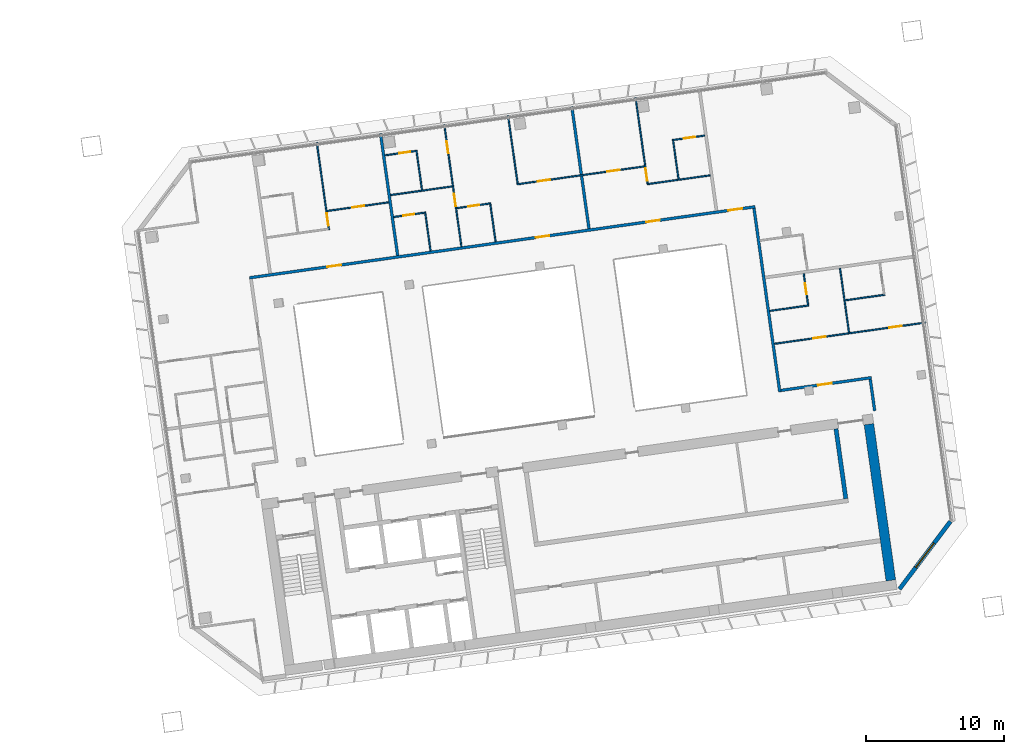
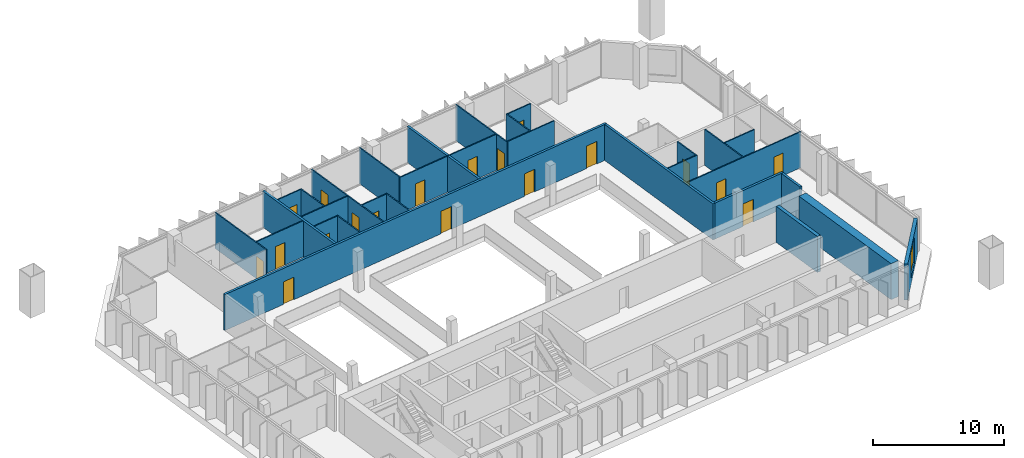
# One storey, part 19 of 23: 30 walls, 19 doors, 1 window, 20 openings.
"""IFC4 building model written with IfcOpenShell, lengths in metres."""

from ifc_helpers import new_model, si_unit, direction, frame, frame_2d, origin, place, context, subcontext, project, spatial, rectangle, extrude, material, layer, layer_set, type_object, element, fill, save


model = new_model("IFC4")

# Units and contexts
model_context = context("Model", 3, precision=1e-05, world=origin(), true_north=direction((0.0, 1.0)))
body_context = subcontext(model_context, "Body", "Model", "MODEL_VIEW")
ifc_project = project(units=[si_unit("LENGTHUNIT", "METRE"), si_unit("AREAUNIT", "SQUARE_METRE"), si_unit("VOLUMEUNIT", "CUBIC_METRE"), si_unit("PLANEANGLEUNIT", "RADIAN"), si_unit("MASSUNIT", "GRAM", prefix="KILO")], contexts=[model_context])

# Site, building, storey
site_placement = place(None, origin())
site = spatial("IfcSite", under=ifc_project, at=site_placement, CompositionType="ELEMENT")
building_placement = place(site_placement, origin())
building = spatial("IfcBuilding", under=site, at=building_placement, Name="Mirante Cascada Hotel Towers", CompositionType="ELEMENT")
storey_placement = place(building_placement, frame((0.0, 0.0, 187.8)))
storey = spatial("IfcBuildingStorey", under=building, at=storey_placement, Name="L44", CompositionType="ELEMENT", Elevation=187.8)

# Wall, opening, door
ifc_material_1 = material(Name="Fire-rated plasterboard on metal studs")
ifc_layer_1 = layer(ifc_material_1, 0.2)
ifc_layer_set_1 = layer_set([ifc_layer_1], Name="Compartment wall 200 EI 120")
wall_type_1 = type_object("IfcWallType", Name="Compartment wall 200 EI 120", PredefinedType="PARTITIONING", material=ifc_layer_set_1)
wall_1_placement = place(storey_placement, frame((79.5905, 1.5361, 0.0), z_axis=(0.0, 0.0, 1.0), x_axis=(-0.990267, -0.139181, 0.0)))
wall_1 = element("IfcWall", 1, at=wall_1_placement, inside=storey, type_object=wall_type_1, Name="Wall 2-L44-04", PredefinedType="PARTITIONING", context=body_context, shape_type="SweptSolid", body=[
    extrude(rectangle(XDim=6.6, YDim=0.2, at=frame_2d((3.3, 0.0))), origin(), (0.0, 0.0, 1.0), 3.35),
])
opening_1_placement = place(wall_1_placement, frame((2.9, 0.0, 0.0)))
opening_1 = element("IfcOpeningElement", 2, at=opening_1_placement, cuts=wall_1, Name="Opening D2-L44-03", PredefinedType="OPENING", context=body_context, shape_type="SweptSolid", body=[
    extrude(rectangle(XDim=1.0, YDim=2.1, at=frame_2d((0.5, 1.05))), frame((0.0, 0.1, 0.0), z_axis=(0.0, -1.0, 0.0), x_axis=(1.0, 0.0, 0.0)), (0.0, 0.0, 1.0), 0.2),
])
ifc_material_2 = material(Name="Fire-rated timber door leaf", Category="wood")
door_type_1 = type_object("IfcDoorType", Name="Entrance door DG1 1000x2100 EI 60", OperationType="SINGLE_SWING_LEFT", PredefinedType="DOOR", material=ifc_material_2)
door_1_placement = place(opening_1_placement, origin())
door_1 = element("IfcDoor", 3, at=door_1_placement, inside=storey, type_object=door_type_1, Name="Door D2-L44-03", OperationType="SINGLE_SWING_LEFT", OverallHeight=2.1, OverallWidth=1.0, PredefinedType="DOOR", context=body_context, shape_type="SweptSolid", body=[
    extrude(rectangle(XDim=1.0, YDim=2.1, at=frame_2d((0.5, 1.05))), frame((0.0, 0.025, 0.0), z_axis=(0.0, -1.0, 0.0), x_axis=(1.0, 0.0, 0.0)), (0.0, 0.0, 1.0), 0.05),
])
fill(opening_1, door_1)

# Wall, openings, doors
wall_2_placement = place(storey_placement, frame((71.1898, 13.8871, 0.0), z_axis=(0.0, 0.0, 1.0), x_axis=(-0.990268, -0.1391734, 0.0)))
wall_2 = element("IfcWall", 4, at=wall_2_placement, inside=storey, type_object=wall_type_1, Name="Wall 2-L44-16", PredefinedType="PARTITIONING", context=body_context, shape_type="SweptSolid", body=[
    extrude(rectangle(XDim=36.9, YDim=0.2, at=frame_2d((18.45, 0.0))), origin(), (0.0, 0.0, 1.0), 3.35),
])
opening_2_placement = place(wall_2_placement, frame((30.2218, 0.0, 0.0)))
opening_2 = element("IfcOpeningElement", 5, at=opening_2_placement, cuts=wall_2, Name="Opening D2-L44-08", PredefinedType="OPENING", context=body_context, shape_type="SweptSolid", body=[
    extrude(rectangle(XDim=1.0, YDim=2.1, at=frame_2d((0.5, 1.05))), frame((0.0, 0.1, 0.0), z_axis=(0.0, -1.0, 0.0), x_axis=(1.0, 0.0, 0.0)), (0.0, 0.0, 1.0), 0.2),
])
opening_3_placement = place(wall_2_placement, frame((15.0172, 0.0, 0.0)))
opening_3 = element("IfcOpeningElement", 6, at=opening_3_placement, cuts=wall_2, Name="Opening D2-L44-09", PredefinedType="OPENING", context=body_context, shape_type="SweptSolid", body=[
    extrude(rectangle(XDim=1.0, YDim=2.1, at=frame_2d((0.5, 1.05))), frame((0.0, 0.1, 0.0), z_axis=(0.0, -1.0, 0.0), x_axis=(1.0, 0.0, 0.0)), (0.0, 0.0, 1.0), 0.2),
])
opening_4_placement = place(wall_2_placement, frame((6.9582, 0.0, 0.0)))
opening_4 = element("IfcOpeningElement", 7, at=opening_4_placement, cuts=wall_2, Name="Opening D2-L44-10", PredefinedType="OPENING", context=body_context, shape_type="SweptSolid", body=[
    extrude(rectangle(XDim=1.0, YDim=2.1, at=frame_2d((0.5, 1.05))), frame((0.0, 0.1, 0.0), z_axis=(0.0, -1.0, 0.0), x_axis=(1.0, 0.0, 0.0)), (0.0, 0.0, 1.0), 0.2),
])
opening_5_placement = place(wall_2_placement, frame((0.9528, 0.0, 0.0)))
opening_5 = element("IfcOpeningElement", 8, at=opening_5_placement, cuts=wall_2, Name="Opening D2-L44-11", PredefinedType="OPENING", context=body_context, shape_type="SweptSolid", body=[
    extrude(rectangle(XDim=1.0, YDim=2.1, at=frame_2d((0.5, 1.05))), frame((0.0, 0.1, 0.0), z_axis=(0.0, -1.0, 0.0), x_axis=(1.0, 0.0, 0.0)), (0.0, 0.0, 1.0), 0.2),
])
door_2_placement = place(opening_2_placement, frame((1.0, 0.0, 0.0), z_axis=(0.0, 0.0, 1.0), x_axis=(-1.0, 0.0, 0.0)))
door_2 = element("IfcDoor", 9, at=door_2_placement, inside=storey, type_object=door_type_1, Name="Door D2-L44-08", OperationType="SINGLE_SWING_RIGHT", OverallHeight=2.1, OverallWidth=1.0, PredefinedType="DOOR", context=body_context, shape_type="SweptSolid", body=[
    extrude(rectangle(XDim=1.0, YDim=2.1, at=frame_2d((0.5, 1.05))), frame((0.0, 0.025, 0.0), z_axis=(0.0, -1.0, 0.0), x_axis=(1.0, 0.0, 0.0)), (0.0, 0.0, 1.0), 0.05),
])
fill(opening_2, door_2)
door_3_placement = place(opening_3_placement, frame((1.0, 0.0, 0.0), z_axis=(0.0, 0.0, 1.0), x_axis=(-1.0, 0.0, 0.0)))
door_3 = element("IfcDoor", 10, at=door_3_placement, inside=storey, type_object=door_type_1, Name="Door D2-L44-09", OperationType="SINGLE_SWING_RIGHT", OverallHeight=2.1, OverallWidth=1.0, PredefinedType="DOOR", context=body_context, shape_type="SweptSolid", body=[
    extrude(rectangle(XDim=1.0, YDim=2.1, at=frame_2d((0.5, 1.05))), frame((0.0, 0.025, 0.0), z_axis=(0.0, -1.0, 0.0), x_axis=(1.0, 0.0, 0.0)), (0.0, 0.0, 1.0), 0.05),
])
fill(opening_3, door_3)
door_4_placement = place(opening_4_placement, frame((1.0, 0.0, 0.0), z_axis=(0.0, 0.0, 1.0), x_axis=(-1.0, 0.0, 0.0)))
door_4 = element("IfcDoor", 11, at=door_4_placement, inside=storey, type_object=door_type_1, Name="Door D2-L44-10", OperationType="SINGLE_SWING_RIGHT", OverallHeight=2.1, OverallWidth=1.0, PredefinedType="DOOR", context=body_context, shape_type="SweptSolid", body=[
    extrude(rectangle(XDim=1.0, YDim=2.1, at=frame_2d((0.5, 1.05))), frame((0.0, 0.025, 0.0), z_axis=(0.0, -1.0, 0.0), x_axis=(1.0, 0.0, 0.0)), (0.0, 0.0, 1.0), 0.05),
])
fill(opening_4, door_4)
door_5_placement = place(opening_5_placement, frame((1.0, 0.0, 0.0), z_axis=(0.0, 0.0, 1.0), x_axis=(-1.0, 0.0, 0.0)))
door_5 = element("IfcDoor", 12, at=door_5_placement, inside=storey, type_object=door_type_1, Name="Door D2-L44-11", OperationType="SINGLE_SWING_RIGHT", OverallHeight=2.1, OverallWidth=1.0, PredefinedType="DOOR", context=body_context, shape_type="SweptSolid", body=[
    extrude(rectangle(XDim=1.0, YDim=2.1, at=frame_2d((0.5, 1.05))), frame((0.0, 0.025, 0.0), z_axis=(0.0, -1.0, 0.0), x_axis=(1.0, 0.0, 0.0)), (0.0, 0.0, 1.0), 0.05),
])
fill(opening_5, door_5)

# Walls
for number, where, z_axis, x_axis, name in (
    (13, (44.1218, 19.1714, 0.0), (0.0, 0.0, 1.0), (0.1391794, -0.9902672, 0.0), "Wall 2-L44-38"),
    (14, (57.9442, 21.114, 0.0), (0.0, 0.0, 1.0), (0.1391684, -0.9902687, 0.0), "Wall 2-L44-44"),
):
    element("IfcWall", number, at=place(storey_placement, frame(where, z_axis=z_axis, x_axis=x_axis)), inside=storey, type_object=wall_type_1, Name=name, PredefinedType="PARTITIONING", context=body_context, shape_type="SweptSolid", body=[
        extrude(rectangle(XDim=8.9, YDim=0.2, at=frame_2d((4.45, 0.0))), origin(), (0.0, 0.0, 1.0), 3.35),
    ])
wall_3_placement = place(storey_placement, frame((71.1047, 13.7742, 0.0), z_axis=(0.0, 0.0, 1.0), x_axis=(0.1391716, -0.9902683, 0.0)))
element("IfcWall", 15, at=wall_3_placement, inside=storey, type_object=wall_type_1, Name="Wall 2-L44-48", PredefinedType="PARTITIONING", context=body_context, shape_type="SweptSolid", body=[
    extrude(rectangle(XDim=13.4, YDim=0.2, at=frame_2d((6.7, 0.0))), origin(), (0.0, 0.0, 1.0), 3.35),
])
wall_4_placement = place(storey_placement, frame((79.5054, 1.4231, 0.0), z_axis=(0.0, 0.0, 1.0), x_axis=(0.1391749, -0.9902678, 0.0)))
element("IfcWall", 16, at=wall_4_placement, inside=storey, type_object=wall_type_1, Name="Wall 2-L44-52", PredefinedType="PARTITIONING", context=body_context, shape_type="SweptSolid", body=[
    extrude(rectangle(XDim=2.3, YDim=0.2, at=frame_2d((1.15, 0.0))), origin(), (0.0, 0.0, 1.0), 3.35),
])

# Wall, openings, doors
ifc_material_3 = material(Name="Plasterboard on metal studs")
ifc_layer_2 = layer(ifc_material_3, 0.1)
ifc_layer_set_2 = layer_set([ifc_layer_2], Name="Partition 100")
wall_type_2 = type_object("IfcWallType", Name="Partition 100", PredefinedType="PARTITIONING", material=ifc_layer_set_2)
wall_5_placement = place(storey_placement, frame((83.4745, 5.5153, 0.0), z_axis=(0.0, 0.0, 1.0), x_axis=(-0.9902682, -0.1391721, 0.0)))
wall_5 = element("IfcWall", 17, at=wall_5_placement, inside=storey, type_object=wall_type_2, Name="Wall 2-L44-08", PredefinedType="PARTITIONING", context=body_context, shape_type="SweptSolid", body=[
    extrude(rectangle(XDim=11.0001, YDim=0.1, at=frame_2d((5.5, 0.0))), origin(), (0.0, 0.0, 1.0), 3.35),
])
opening_6_placement = place(wall_5_placement, frame((7.275, 0.0, 0.0)))
opening_6 = element("IfcOpeningElement", 18, at=opening_6_placement, cuts=wall_5, Name="Opening D2-L44-04", PredefinedType="OPENING", context=body_context, shape_type="SweptSolid", body=[
    extrude(rectangle(XDim=0.9, YDim=2.1, at=frame_2d((0.45, 1.05))), frame((0.0, 0.05, 0.0), z_axis=(0.0, -1.0, 0.0), x_axis=(1.0, 0.0, 0.0)), (0.0, 0.0, 1.0), 0.1),
])
opening_7_placement = place(wall_5_placement, frame((1.725, 0.0, 0.0)))
opening_7 = element("IfcOpeningElement", 19, at=opening_7_placement, cuts=wall_5, Name="Opening D2-L44-05", PredefinedType="OPENING", context=body_context, shape_type="SweptSolid", body=[
    extrude(rectangle(XDim=0.9, YDim=2.1, at=frame_2d((0.45, 1.05))), frame((0.0, 0.05, 0.0), z_axis=(0.0, -1.0, 0.0), x_axis=(1.0, 0.0, 0.0)), (0.0, 0.0, 1.0), 0.1),
])
ifc_material_4 = material(Name="Timber door leaf", Category="wood")
door_type_2 = type_object("IfcDoorType", Name="Room door DG3 900x2100", OperationType="SINGLE_SWING_LEFT", PredefinedType="DOOR", material=ifc_material_4)
door_6_placement = place(opening_6_placement, origin())
door_6 = element("IfcDoor", 20, at=door_6_placement, inside=storey, type_object=door_type_2, Name="Door D2-L44-04", OperationType="SINGLE_SWING_LEFT", OverallHeight=2.1, OverallWidth=0.9, PredefinedType="DOOR", context=body_context, shape_type="SweptSolid", body=[
    extrude(rectangle(XDim=0.9, YDim=2.1, at=frame_2d((0.45, 1.05))), frame((0.0, 0.025, 0.0), z_axis=(0.0, -1.0, 0.0), x_axis=(1.0, 0.0, 0.0)), (0.0, 0.0, 1.0), 0.05),
])
fill(opening_6, door_6)
door_7_placement = place(opening_7_placement, origin())
door_7 = element("IfcDoor", 21, at=door_7_placement, inside=storey, type_object=door_type_2, Name="Door D2-L44-05", OperationType="SINGLE_SWING_LEFT", OverallHeight=2.1, OverallWidth=0.9, PredefinedType="DOOR", context=body_context, shape_type="SweptSolid", body=[
    extrude(rectangle(XDim=0.9, YDim=2.1, at=frame_2d((0.45, 1.05))), frame((0.0, 0.025, 0.0), z_axis=(0.0, -1.0, 0.0), x_axis=(1.0, 0.0, 0.0)), (0.0, 0.0, 1.0), 0.05),
])
fill(opening_7, door_7)

# Walls
wall_6_placement = place(storey_placement, frame((72.2475, 6.3611, 0.0), z_axis=(0.0, 0.0, 1.0), x_axis=(0.9902704, 0.1391564, 0.0)))
element("IfcWall", 22, at=wall_6_placement, inside=storey, type_object=wall_type_2, Name="Wall 2-L44-11", PredefinedType="PARTITIONING", context=body_context, shape_type="SweptSolid", body=[
    extrude(rectangle(XDim=2.85, YDim=0.1, at=frame_2d((1.425, 0.0))), origin(), (0.0, 0.0, 1.0), 3.35),
])
wall_7_placement = place(storey_placement, frame((80.5658, 7.5301, 0.0), z_axis=(0.0, 0.0, 1.0), x_axis=(-0.9902683, -0.1391714, 0.0)))
element("IfcWall", 23, at=wall_7_placement, inside=storey, type_object=wall_type_2, Name="Wall 2-L44-12", PredefinedType="PARTITIONING", context=body_context, shape_type="SweptSolid", body=[
    extrude(rectangle(XDim=2.9, YDim=0.1, at=frame_2d((1.45, 0.0))), origin(), (0.0, 0.0, 1.0), 3.35),
])
wall_8_placement = place(storey_placement, frame((67.9368, 16.1565, 0.0), z_axis=(0.0, 0.0, 1.0), x_axis=(-0.9902668, -0.1391824, 0.0)))
element("IfcWall", 24, at=wall_8_placement, inside=storey, type_object=wall_type_2, Name="Wall 2-L44-18", PredefinedType="PARTITIONING", context=body_context, shape_type="SweptSolid", body=[
    extrude(rectangle(XDim=4.5027, YDim=0.1, at=frame_2d((2.2514, 0.0))), origin(), (0.0, 0.0, 1.0), 3.35),
])

# Wall, opening, door
wall_9_placement = place(storey_placement, frame((45.0698, 13.1447, 0.0), z_axis=(0.0, 0.0, 1.0), x_axis=(0.9902705, 0.1391561, 0.0)))
wall_9 = element("IfcWall", 25, at=wall_9_placement, inside=storey, type_object=wall_type_2, Name="Wall 2-L44-19", PredefinedType="PARTITIONING", context=body_context, shape_type="SweptSolid", body=[
    extrude(rectangle(XDim=2.25, YDim=0.1, at=frame_2d((1.125, 0.0))), origin(), (0.0, 0.0, 1.0), 3.35),
])
opening_8_placement = place(wall_9_placement, frame((0.7, 0.0, 0.0)))
opening_8 = element("IfcOpeningElement", 26, at=opening_8_placement, cuts=wall_9, Name="Opening D2-L44-12", PredefinedType="OPENING", context=body_context, shape_type="SweptSolid", body=[
    extrude(rectangle(XDim=0.8, YDim=2.1, at=frame_2d((0.4, 1.05))), frame((0.0, 0.05, 0.0), z_axis=(0.0, -1.0, 0.0), x_axis=(1.0, 0.0, 0.0)), (0.0, 0.0, 1.0), 0.1),
])
ifc_material_5 = material(Name="Timber door leaf", Category="wood")
door_type_3 = type_object("IfcDoorType", Name="Bathroom door DG4 800x2100", OperationType="SINGLE_SWING_LEFT", PredefinedType="DOOR", material=ifc_material_5)
door_8_placement = place(opening_8_placement, frame((0.8, 0.0, 0.0), z_axis=(0.0, 0.0, 1.0), x_axis=(-1.0, 0.0, 0.0)))
door_8 = element("IfcDoor", 27, at=door_8_placement, inside=storey, type_object=door_type_3, Name="Door D2-L44-12", OperationType="SINGLE_SWING_RIGHT", OverallHeight=2.1, OverallWidth=0.8, PredefinedType="DOOR", context=body_context, shape_type="SweptSolid", body=[
    extrude(rectangle(XDim=0.8, YDim=2.1, at=frame_2d((0.4, 1.05))), frame((0.0, 0.025, 0.0), z_axis=(0.0, -1.0, 0.0), x_axis=(1.0, 0.0, 0.0)), (0.0, 0.0, 1.0), 0.05),
])
fill(opening_8, door_8)

wall_10_placement = place(storey_placement, frame((51.9974, 14.1183, 0.0), z_axis=(0.0, 0.0, 1.0), x_axis=(-0.9902704, -0.1391569, 0.0)))
wall_10 = element("IfcWall", 28, at=wall_10_placement, inside=storey, type_object=wall_type_2, Name="Wall 2-L44-20", PredefinedType="PARTITIONING", context=body_context, shape_type="SweptSolid", body=[
    extrude(rectangle(XDim=2.393, YDim=0.1, at=frame_2d((1.1965, 0.0))), origin(), (0.0, 0.0, 1.0), 3.35),
])
opening_9_placement = place(wall_10_placement, frame((0.75, 0.0, 0.0)))
opening_9 = element("IfcOpeningElement", 29, at=opening_9_placement, cuts=wall_10, Name="Opening D2-L44-13", PredefinedType="OPENING", context=body_context, shape_type="SweptSolid", body=[
    extrude(rectangle(XDim=0.8, YDim=2.1, at=frame_2d((0.4, 1.05))), frame((0.0, 0.05, 0.0), z_axis=(0.0, -1.0, 0.0), x_axis=(1.0, 0.0, 0.0)), (0.0, 0.0, 1.0), 0.1),
])
door_9_placement = place(opening_9_placement, frame((0.8, 0.0, 0.0), z_axis=(0.0, 0.0, 1.0), x_axis=(-1.0, 0.0, 0.0)))
door_9 = element("IfcDoor", 30, at=door_9_placement, inside=storey, type_object=door_type_3, Name="Door D2-L44-13", OperationType="SINGLE_SWING_RIGHT", OverallHeight=2.1, OverallWidth=0.8, PredefinedType="DOOR", context=body_context, shape_type="SweptSolid", body=[
    extrude(rectangle(XDim=0.8, YDim=2.1, at=frame_2d((0.4, 1.05))), frame((0.0, 0.025, 0.0), z_axis=(0.0, -1.0, 0.0), x_axis=(1.0, 0.0, 0.0)), (0.0, 0.0, 1.0), 0.05),
])
fill(opening_9, door_9)

wall_11_placement = place(storey_placement, frame((40.2597, 13.5795, 0.0), z_axis=(0.0, 0.0, 1.0), x_axis=(0.9902672, 0.1391793, 0.0)))
wall_11 = element("IfcWall", 31, at=wall_11_placement, inside=storey, type_object=wall_type_2, Name="Wall 2-L44-21", PredefinedType="PARTITIONING", context=body_context, shape_type="SweptSolid", body=[
    extrude(rectangle(XDim=4.5028, YDim=0.1, at=frame_2d((2.2514, 0.0))), origin(), (0.0, 0.0, 1.0), 3.35),
])
opening_10_placement = place(wall_11_placement, frame((1.8264, 0.0, 0.0)))
opening_10 = element("IfcOpeningElement", 32, at=opening_10_placement, cuts=wall_11, Name="Opening D2-L44-14", PredefinedType="OPENING", context=body_context, shape_type="SweptSolid", body=[
    extrude(rectangle(XDim=0.9, YDim=2.1, at=frame_2d((0.45, 1.05))), frame((0.0, 0.05, 0.0), z_axis=(0.0, -1.0, 0.0), x_axis=(1.0, 0.0, 0.0)), (0.0, 0.0, 1.0), 0.1),
])
door_10_placement = place(opening_10_placement, frame((0.9, 0.0, 0.0), z_axis=(0.0, 0.0, 1.0), x_axis=(-1.0, 0.0, 0.0)))
door_10 = element("IfcDoor", 33, at=door_10_placement, inside=storey, type_object=door_type_2, Name="Door D2-L44-14", OperationType="SINGLE_SWING_RIGHT", OverallHeight=2.1, OverallWidth=0.9, PredefinedType="DOOR", context=body_context, shape_type="SweptSolid", body=[
    extrude(rectangle(XDim=0.9, YDim=2.1, at=frame_2d((0.45, 1.05))), frame((0.0, 0.025, 0.0), z_axis=(0.0, -1.0, 0.0), x_axis=(1.0, 0.0, 0.0)), (0.0, 0.0, 1.0), 0.05),
])
fill(opening_10, door_10)

# Wall, openings, doors
wall_12_placement = place(storey_placement, frame((63.198, 16.8033, 0.0), z_axis=(0.0, 0.0, 1.0), x_axis=(-0.9902678, -0.1391748, 0.0)))
wall_12 = element("IfcWall", 34, at=wall_12_placement, inside=storey, type_object=wall_type_2, Name="Wall 2-L44-22", PredefinedType="PARTITIONING", context=body_context, shape_type="SweptSolid", body=[
    extrude(rectangle(XDim=9.3056, YDim=0.1, at=frame_2d((4.6528, 0.0))), origin(), (0.0, 0.0, 1.0), 3.35),
])
opening_11_placement = place(wall_12_placement, frame((6.9027, 0.0, 0.0)))
opening_11 = element("IfcOpeningElement", 35, at=opening_11_placement, cuts=wall_12, Name="Opening D2-L44-15", PredefinedType="OPENING", context=body_context, shape_type="SweptSolid", body=[
    extrude(rectangle(XDim=0.9, YDim=2.1, at=frame_2d((0.45, 1.05))), frame((0.0, 0.05, 0.0), z_axis=(0.0, -1.0, 0.0), x_axis=(1.0, 0.0, 0.0)), (0.0, 0.0, 1.0), 0.1),
])
opening_12_placement = place(wall_12_placement, frame((1.8264, 0.0, 0.0)))
opening_12 = element("IfcOpeningElement", 36, at=opening_12_placement, cuts=wall_12, Name="Opening D2-L44-16", PredefinedType="OPENING", context=body_context, shape_type="SweptSolid", body=[
    extrude(rectangle(XDim=0.9, YDim=2.1, at=frame_2d((0.45, 1.05))), frame((0.0, 0.05, 0.0), z_axis=(0.0, -1.0, 0.0), x_axis=(1.0, 0.0, 0.0)), (0.0, 0.0, 1.0), 0.1),
])
door_11_placement = place(opening_11_placement, frame((0.9, 0.0, 0.0), z_axis=(0.0, 0.0, 1.0), x_axis=(-1.0, 0.0, 0.0)))
door_11 = element("IfcDoor", 37, at=door_11_placement, inside=storey, type_object=door_type_2, Name="Door D2-L44-15", OperationType="SINGLE_SWING_RIGHT", OverallHeight=2.1, OverallWidth=0.9, PredefinedType="DOOR", context=body_context, shape_type="SweptSolid", body=[
    extrude(rectangle(XDim=0.9, YDim=2.1, at=frame_2d((0.45, 1.05))), frame((0.0, 0.025, 0.0), z_axis=(0.0, -1.0, 0.0), x_axis=(1.0, 0.0, 0.0)), (0.0, 0.0, 1.0), 0.05),
])
fill(opening_11, door_11)
door_12_placement = place(opening_12_placement, origin())
door_12 = element("IfcDoor", 38, at=door_12_placement, inside=storey, type_object=door_type_2, Name="Door D2-L44-16", OperationType="SINGLE_SWING_LEFT", OverallHeight=2.1, OverallWidth=0.9, PredefinedType="DOOR", context=body_context, shape_type="SweptSolid", body=[
    extrude(rectangle(XDim=0.9, YDim=2.1, at=frame_2d((0.45, 1.05))), frame((0.0, 0.025, 0.0), z_axis=(0.0, -1.0, 0.0), x_axis=(1.0, 0.0, 0.0)), (0.0, 0.0, 1.0), 0.05),
])
fill(opening_12, door_12)

# Wall
wall_13_placement = place(storey_placement, frame((49.306, 15.3558, 0.0), z_axis=(0.0, 0.0, 1.0), x_axis=(-0.9902668, -0.1391824, 0.0)))
element("IfcWall", 39, at=wall_13_placement, inside=storey, type_object=wall_type_2, Name="Wall 2-L44-24", PredefinedType="PARTITIONING", context=body_context, shape_type="SweptSolid", body=[
    extrude(rectangle(XDim=4.5027, YDim=0.1, at=frame_2d((2.2514, 0.0))), origin(), (0.0, 0.0, 1.0), 3.35),
])

# Wall, opening, door
wall_14_placement = place(storey_placement, frame((67.5332, 19.0283, 0.0), z_axis=(0.0, 0.0, 1.0), x_axis=(-0.9902643, -0.1391997, 0.0)))
wall_14 = element("IfcWall", 40, at=wall_14_placement, inside=storey, type_object=wall_type_2, Name="Wall 2-L44-26", PredefinedType="PARTITIONING", context=body_context, shape_type="SweptSolid", body=[
    extrude(rectangle(XDim=2.25, YDim=0.1, at=frame_2d((1.125, 0.0))), origin(), (0.0, 0.0, 1.0), 3.35),
])
opening_13_placement = place(wall_14_placement, frame((0.7, 0.0, 0.0)))
opening_13 = element("IfcOpeningElement", 41, at=opening_13_placement, cuts=wall_14, Name="Opening D2-L44-18", PredefinedType="OPENING", context=body_context, shape_type="SweptSolid", body=[
    extrude(rectangle(XDim=0.8, YDim=2.1, at=frame_2d((0.4, 1.05))), frame((0.0, 0.05, 0.0), z_axis=(0.0, -1.0, 0.0), x_axis=(1.0, 0.0, 0.0)), (0.0, 0.0, 1.0), 0.1),
])
door_13_placement = place(opening_13_placement, frame((0.8, 0.0, 0.0), z_axis=(0.0, 0.0, 1.0), x_axis=(-1.0, 0.0, 0.0)))
door_13 = element("IfcDoor", 42, at=door_13_placement, inside=storey, type_object=door_type_3, Name="Door D2-L44-18", OperationType="SINGLE_SWING_RIGHT", OverallHeight=2.1, OverallWidth=0.8, PredefinedType="DOOR", context=body_context, shape_type="SweptSolid", body=[
    extrude(rectangle(XDim=0.8, YDim=2.1, at=frame_2d((0.4, 1.05))), frame((0.0, 0.025, 0.0), z_axis=(0.0, -1.0, 0.0), x_axis=(1.0, 0.0, 0.0)), (0.0, 0.0, 1.0), 0.05),
])
fill(opening_13, door_13)

wall_15_placement = place(storey_placement, frame((44.4435, 17.6009, 0.0), z_axis=(0.0, 0.0, 1.0), x_axis=(0.9902705, 0.1391561, 0.0)))
wall_15 = element("IfcWall", 43, at=wall_15_placement, inside=storey, type_object=wall_type_2, Name="Wall 2-L44-27", PredefinedType="PARTITIONING", context=body_context, shape_type="SweptSolid", body=[
    extrude(rectangle(XDim=2.25, YDim=0.1, at=frame_2d((1.125, 0.0))), origin(), (0.0, 0.0, 1.0), 3.35),
])
opening_14_placement = place(wall_15_placement, frame((1.05, 0.0, 0.0)))
opening_14 = element("IfcOpeningElement", 44, at=opening_14_placement, cuts=wall_15, Name="Opening D2-L44-19", PredefinedType="OPENING", context=body_context, shape_type="SweptSolid", body=[
    extrude(rectangle(XDim=0.8, YDim=2.1, at=frame_2d((0.4, 1.05))), frame((0.0, 0.05, 0.0), z_axis=(0.0, -1.0, 0.0), x_axis=(1.0, 0.0, 0.0)), (0.0, 0.0, 1.0), 0.1),
])
door_14_placement = place(opening_14_placement, frame((0.8, 0.0, 0.0), z_axis=(0.0, 0.0, 1.0), x_axis=(-1.0, 0.0, 0.0)))
door_14 = element("IfcDoor", 45, at=door_14_placement, inside=storey, type_object=door_type_3, Name="Door D2-L44-19", OperationType="SINGLE_SWING_RIGHT", OverallHeight=2.1, OverallWidth=0.8, PredefinedType="DOOR", context=body_context, shape_type="SweptSolid", body=[
    extrude(rectangle(XDim=0.8, YDim=2.1, at=frame_2d((0.4, 1.05))), frame((0.0, 0.025, 0.0), z_axis=(0.0, -1.0, 0.0), x_axis=(1.0, 0.0, 0.0)), (0.0, 0.0, 1.0), 0.05),
])
fill(opening_14, door_14)

wall_16_placement = place(storey_placement, frame((40.3981, 12.2357, 0.0), z_axis=(0.0, 0.0, 1.0), x_axis=(-0.139181, 0.990267, 0.0)))
wall_16 = element("IfcWall", 46, at=wall_16_placement, inside=storey, type_object=wall_type_2, Name="Wall 2-L44-37", PredefinedType="PARTITIONING", context=body_context, shape_type="SweptSolid", body=[
    extrude(rectangle(XDim=6.35, YDim=0.1, at=frame_2d((3.175, 0.0))), origin(), (0.0, 0.0, 1.0), 3.35),
])
opening_15_placement = place(wall_16_placement, frame((0.3, 0.0, 0.0)))
opening_15 = element("IfcOpeningElement", 47, at=opening_15_placement, cuts=wall_16, Name="Opening D2-L44-28", PredefinedType="OPENING", context=body_context, shape_type="SweptSolid", body=[
    extrude(rectangle(XDim=0.9, YDim=2.1, at=frame_2d((0.45, 1.05))), frame((0.0, 0.05, 0.0), z_axis=(0.0, -1.0, 0.0), x_axis=(1.0, 0.0, 0.0)), (0.0, 0.0, 1.0), 0.1),
])
door_15_placement = place(opening_15_placement, frame((0.9, 0.0, 0.0), z_axis=(0.0, 0.0, 1.0), x_axis=(-1.0, 0.0, 0.0)))
door_15 = element("IfcDoor", 48, at=door_15_placement, inside=storey, type_object=door_type_2, Name="Door D2-L44-28", OperationType="SINGLE_SWING_RIGHT", OverallHeight=2.1, OverallWidth=0.9, PredefinedType="DOOR", context=body_context, shape_type="SweptSolid", body=[
    extrude(rectangle(XDim=0.9, YDim=2.1, at=frame_2d((0.45, 1.05))), frame((0.0, 0.025, 0.0), z_axis=(0.0, -1.0, 0.0), x_axis=(1.0, 0.0, 0.0)), (0.0, 0.0, 1.0), 0.05),
])
fill(opening_15, door_15)

# Walls
wall_17_placement = place(storey_placement, frame((47.7371, 10.692, 0.0), z_axis=(0.0, 0.0, 1.0), x_axis=(-0.1391564, 0.9902704, 0.0)))
element("IfcWall", 49, at=wall_17_placement, inside=storey, type_object=wall_type_2, Name="Wall 2-L44-39", PredefinedType="PARTITIONING", context=body_context, shape_type="SweptSolid", body=[
    extrude(rectangle(XDim=2.85, YDim=0.1, at=frame_2d((1.425, 0.0))), origin(), (0.0, 0.0, 1.0), 3.35),
])
wall_18_placement = place(storey_placement, frame((46.7142, 17.9705, 0.0), z_axis=(0.0, 0.0, 1.0), x_axis=(0.1391714, -0.9902683, 0.0)))
element("IfcWall", 50, at=wall_18_placement, inside=storey, type_object=wall_type_2, Name="Wall 2-L44-40", PredefinedType="PARTITIONING", context=body_context, shape_type="SweptSolid", body=[
    extrude(rectangle(XDim=2.9, YDim=0.1, at=frame_2d((1.45, 0.0))), origin(), (0.0, 0.0, 1.0), 3.35),
])

# Wall, openings, doors
wall_19_placement = place(storey_placement, frame((49.9679, 11.0056, 0.0), z_axis=(0.0, 0.0, 1.0), x_axis=(-0.13917, 0.9902685, 0.0)))
wall_19 = element("IfcWall", 51, at=wall_19_placement, inside=storey, type_object=wall_type_2, Name="Wall 2-L44-41", PredefinedType="PARTITIONING", context=body_context, shape_type="SweptSolid", body=[
    extrude(rectangle(XDim=8.8999, YDim=0.1, at=frame_2d((4.45, 0.0))), origin(), (0.0, 0.0, 1.0), 3.35),
])
opening_16_placement = place(wall_19_placement, frame((2.95, 0.0, 0.0)))
opening_16 = element("IfcOpeningElement", 52, at=opening_16_placement, cuts=wall_19, Name="Opening D2-L44-29", PredefinedType="OPENING", context=body_context, shape_type="SweptSolid", body=[
    extrude(rectangle(XDim=0.9, YDim=2.1, at=frame_2d((0.45, 1.05))), frame((0.0, 0.05, 0.0), z_axis=(0.0, -1.0, 0.0), x_axis=(1.0, 0.0, 0.0)), (0.0, 0.0, 1.0), 0.1),
])
opening_17_placement = place(wall_19_placement, frame((6.8, 0.0, 0.0)))
opening_17 = element("IfcOpeningElement", 53, at=opening_17_placement, cuts=wall_19, Name="Opening D2-L44-30", PredefinedType="OPENING", context=body_context, shape_type="SweptSolid", body=[
    extrude(rectangle(XDim=0.9, YDim=2.1, at=frame_2d((0.45, 1.05))), frame((0.0, 0.05, 0.0), z_axis=(0.0, -1.0, 0.0), x_axis=(1.0, 0.0, 0.0)), (0.0, 0.0, 1.0), 0.1),
])
door_16_placement = place(opening_16_placement, frame((0.9, 0.0, 0.0), z_axis=(0.0, 0.0, 1.0), x_axis=(-1.0, 0.0, 0.0)))
door_16 = element("IfcDoor", 54, at=door_16_placement, inside=storey, type_object=door_type_2, Name="Door D2-L44-29", OperationType="SINGLE_SWING_RIGHT", OverallHeight=2.1, OverallWidth=0.9, PredefinedType="DOOR", context=body_context, shape_type="SweptSolid", body=[
    extrude(rectangle(XDim=0.9, YDim=2.1, at=frame_2d((0.45, 1.05))), frame((0.0, 0.025, 0.0), z_axis=(0.0, -1.0, 0.0), x_axis=(1.0, 0.0, 0.0)), (0.0, 0.0, 1.0), 0.05),
])
fill(opening_16, door_16)
door_17_placement = place(opening_17_placement, frame((0.9, 0.0, 0.0), z_axis=(0.0, 0.0, 1.0), x_axis=(-1.0, 0.0, 0.0)))
door_17 = element("IfcDoor", 55, at=door_17_placement, inside=storey, type_object=door_type_2, Name="Door D2-L44-30", OperationType="SINGLE_SWING_RIGHT", OverallHeight=2.1, OverallWidth=0.9, PredefinedType="DOOR", context=body_context, shape_type="SweptSolid", body=[
    extrude(rectangle(XDim=0.9, YDim=2.1, at=frame_2d((0.45, 1.05))), frame((0.0, 0.025, 0.0), z_axis=(0.0, -1.0, 0.0), x_axis=(1.0, 0.0, 0.0)), (0.0, 0.0, 1.0), 0.05),
])
fill(opening_17, door_17)

# Walls
wall_20_placement = place(storey_placement, frame((52.04, 14.1748, 0.0), z_axis=(0.0, 0.0, 1.0), x_axis=(0.1391564, -0.9902704, 0.0)))
element("IfcWall", 56, at=wall_20_placement, inside=storey, type_object=wall_type_2, Name="Wall 2-L44-42", PredefinedType="PARTITIONING", context=body_context, shape_type="SweptSolid", body=[
    extrude(rectangle(XDim=2.85, YDim=0.1, at=frame_2d((1.425, 0.0))), origin(), (0.0, 0.0, 1.0), 3.35),
])
wall_21_placement = place(storey_placement, frame((54.0256, 15.5647, 0.0), z_axis=(0.0, 0.0, 1.0), x_axis=(-0.1391725, 0.9902682, 0.0)))
element("IfcWall", 57, at=wall_21_placement, inside=storey, type_object=wall_type_2, Name="Wall 2-L44-43", PredefinedType="PARTITIONING", context=body_context, shape_type="SweptSolid", body=[
    extrude(rectangle(XDim=4.95, YDim=0.1, at=frame_2d((2.475, 0.0))), origin(), (0.0, 0.0, 1.0), 3.35),
])

# Wall, opening, door
wall_22_placement = place(storey_placement, frame((63.4354, 15.4734, 0.0), z_axis=(0.0, 0.0, 1.0), x_axis=(-0.139181, 0.990267, 0.0)))
wall_22 = element("IfcWall", 58, at=wall_22_placement, inside=storey, type_object=wall_type_2, Name="Wall 2-L44-45", PredefinedType="PARTITIONING", context=body_context, shape_type="SweptSolid", body=[
    extrude(rectangle(XDim=6.35, YDim=0.1, at=frame_2d((3.175, 0.0))), origin(), (0.0, 0.0, 1.0), 3.35),
])
opening_18_placement = place(wall_22_placement, frame((0.3, 0.0, 0.0)))
opening_18 = element("IfcOpeningElement", 59, at=opening_18_placement, cuts=wall_22, Name="Opening D2-L44-31", PredefinedType="OPENING", context=body_context, shape_type="SweptSolid", body=[
    extrude(rectangle(XDim=0.9, YDim=2.1, at=frame_2d((0.45, 1.05))), frame((0.0, 0.05, 0.0), z_axis=(0.0, -1.0, 0.0), x_axis=(1.0, 0.0, 0.0)), (0.0, 0.0, 1.0), 0.1),
])
door_18_placement = place(opening_18_placement, origin())
door_18 = element("IfcDoor", 60, at=door_18_placement, inside=storey, type_object=door_type_2, Name="Door D2-L44-31", OperationType="SINGLE_SWING_LEFT", OverallHeight=2.1, OverallWidth=0.9, PredefinedType="DOOR", context=body_context, shape_type="SweptSolid", body=[
    extrude(rectangle(XDim=0.9, YDim=2.1, at=frame_2d((0.45, 1.05))), frame((0.0, 0.025, 0.0), z_axis=(0.0, -1.0, 0.0), x_axis=(1.0, 0.0, 0.0)), (0.0, 0.0, 1.0), 0.05),
])
fill(opening_18, door_18)

# Wall
wall_23_placement = place(storey_placement, frame((65.2486, 18.7577, 0.0), z_axis=(0.0, 0.0, 1.0), x_axis=(0.1391714, -0.9902683, 0.0)))
element("IfcWall", 61, at=wall_23_placement, inside=storey, type_object=wall_type_2, Name="Wall 2-L44-46", PredefinedType="PARTITIONING", context=body_context, shape_type="SweptSolid", body=[
    extrude(rectangle(XDim=2.9, YDim=0.1, at=frame_2d((1.45, 0.0))), origin(), (0.0, 0.0, 1.0), 3.35),
])

# Wall, opening, door
wall_24_placement = place(storey_placement, frame((75.0133, 6.8003, 0.0), z_axis=(0.0, 0.0, 1.0), x_axis=(-0.139183, 0.9902667, 0.0)))
wall_24 = element("IfcWall", 62, at=wall_24_placement, inside=storey, type_object=wall_type_2, Name="Wall 2-L44-49", PredefinedType="PARTITIONING", context=body_context, shape_type="SweptSolid", body=[
    extrude(rectangle(XDim=2.2833, YDim=0.1, at=frame_2d((1.1416, 0.0))), origin(), (0.0, 0.0, 1.0), 3.35),
])
opening_19_placement = place(wall_24_placement, frame((0.7833, 0.0, 0.0)))
opening_19 = element("IfcOpeningElement", 63, at=opening_19_placement, cuts=wall_24, Name="Opening D2-L44-32", PredefinedType="OPENING", context=body_context, shape_type="SweptSolid", body=[
    extrude(rectangle(XDim=0.8, YDim=2.1, at=frame_2d((0.4, 1.05))), frame((0.0, 0.05, 0.0), z_axis=(0.0, -1.0, 0.0), x_axis=(1.0, 0.0, 0.0)), (0.0, 0.0, 1.0), 0.1),
])
door_19_placement = place(opening_19_placement, frame((0.8, 0.0, 0.0), z_axis=(0.0, 0.0, 1.0), x_axis=(-1.0, 0.0, 0.0)))
door_19 = element("IfcDoor", 64, at=door_19_placement, inside=storey, type_object=door_type_3, Name="Door D2-L44-32", OperationType="SINGLE_SWING_RIGHT", OverallHeight=2.1, OverallWidth=0.8, PredefinedType="DOOR", context=body_context, shape_type="SweptSolid", body=[
    extrude(rectangle(XDim=0.8, YDim=2.1, at=frame_2d((0.4, 1.05))), frame((0.0, 0.025, 0.0), z_axis=(0.0, -1.0, 0.0), x_axis=(1.0, 0.0, 0.0)), (0.0, 0.0, 1.0), 0.05),
])
fill(opening_19, door_19)

# Wall
wall_25_placement = place(storey_placement, frame((77.9715, 4.7925, 0.0), z_axis=(0.0, 0.0, 1.0), x_axis=(-0.139176, 0.9902677, 0.0)))
element("IfcWall", 65, at=wall_25_placement, inside=storey, type_object=wall_type_2, Name="Wall 2-L44-51", PredefinedType="PARTITIONING", context=body_context, shape_type="SweptSolid", body=[
    extrude(rectangle(XDim=4.6833, YDim=0.1, at=frame_2d((2.3416, 0.0))), origin(), (0.0, 0.0, 1.0), 3.35),
])

# Wall, opening, window
ifc_material_6 = material(Name="Precast concrete C40/50", Category="concrete")
ifc_layer_3 = layer(ifc_material_6, 0.3)
ifc_layer_set_3 = layer_set([ifc_layer_3], Name="Precast concrete C40/50 cladding wall 300")
wall_type_3 = type_object("IfcWallType", Name="Precast concrete C40/50 cladding wall 300", PredefinedType="STANDARD", material=ifc_layer_set_3)
wall_26_placement = place(storey_placement, frame((81.6175, -13.7366, 0.0), z_axis=(0.0, 0.0, 1.0), x_axis=(0.6018141, 0.7986362, 0.0)))
wall_26 = element("IfcWall", 66, at=wall_26_placement, inside=storey, type_object=wall_type_3, Name="Corner cladding wall T2 L44 rear outer", PredefinedType="STANDARD", context=body_context, shape_type="SweptSolid", body=[
    extrude(rectangle(XDim=6.1157, YDim=0.3, at=frame_2d((3.0578, 0.0))), origin(), (0.0, 0.0, 1.0), 3.35),
])
opening_20_placement = place(wall_26_placement, frame((1.9578, 0.0, 0.6)))
opening_20 = element("IfcOpeningElement", 67, at=opening_20_placement, cuts=wall_26, Name="Opening W2-44-01", PredefinedType="OPENING", context=body_context, shape_type="SweptSolid", body=[
    extrude(rectangle(XDim=2.2, YDim=2.4, at=frame_2d((1.1, 1.2))), frame((0.0, 0.15, 0.0), z_axis=(0.0, -1.0, 0.0), x_axis=(1.0, 0.0, 0.0)), (0.0, 0.0, 1.0), 0.3),
])
ifc_material_7 = material(Name="Aluminium frame with clear double glazing", Category="aluminium")
window_type = type_object("IfcWindowType", Name="Corner suite window 2200x2400", PartitioningType="DOUBLE_PANEL_VERTICAL", PredefinedType="WINDOW", material=ifc_material_7)
window_placement = place(opening_20_placement, origin())
window = element("IfcWindow", 68, at=window_placement, inside=storey, type_object=window_type, Name="Window W2-44-01", OverallHeight=2.4, OverallWidth=2.2, PartitioningType="SINGLE_PANEL", PredefinedType="WINDOW", context=body_context, shape_type="SweptSolid", body=[
    extrude(rectangle(XDim=2.2, YDim=2.4, at=frame_2d((1.1, 1.2))), frame((0.0, 0.03, 0.0), z_axis=(0.0, -1.0, 0.0), x_axis=(1.0, 0.0, 0.0)), (0.0, 0.0, 1.0), 0.06),
])
fill(opening_20, window)

# Walls
ifc_material_8 = material(Name="Concrete C50/60", Category="concrete")
ifc_layer_4 = layer(ifc_material_8, 0.3)
ifc_layer_set_4 = layer_set([ifc_layer_4], Name="RC core wall 300 C50/60")
wall_type_4 = type_object("IfcWallType", Name="RC core wall 300 C50/60", PredefinedType="SHEAR", material=ifc_layer_set_4)
wall_27_placement = place(storey_placement, frame((77.7392, -7.2067, 0.0), z_axis=(0.0, 0.0, 1.0), x_axis=(-0.1391755, 0.9902677, 0.0)))
element("IfcWall", 69, at=wall_27_placement, inside=storey, type_object=wall_type_4, Name="Core wall T2:L44:28", PredefinedType="SHEAR", context=body_context, shape_type="SweptSolid", body=[
    extrude(rectangle(XDim=5.1, YDim=0.3, at=frame_2d((2.55, 0.0))), origin(), (0.0, 0.0, 1.0), 3.35),
])
ifc_material_9 = material(Name="Concrete C50/60", Category="concrete")
ifc_layer_5 = layer(ifc_material_9, 0.7)
ifc_layer_set_5 = layer_set([ifc_layer_5], Name="RC core wall 700 C50/60")
wall_type_5 = type_object("IfcWallType", Name="RC core wall 700 C50/60", PredefinedType="SHEAR", material=ifc_layer_set_5)
wall_28_placement = place(storey_placement, frame((80.9927, -13.1113, 0.0), z_axis=(0.0, 0.0, 1.0), x_axis=(-0.1391761, 0.9902677, 0.0)))
element("IfcWall", 70, at=wall_28_placement, inside=storey, type_object=wall_type_5, Name="Core wall T2:L44:4", PredefinedType="SHEAR", context=body_context, shape_type="SweptSolid", body=[
    extrude(rectangle(XDim=11.3999, YDim=0.7, at=frame_2d((5.7, 0.0))), origin(), (0.0, 0.0, 1.0), 3.35),
])

save(model, "model.ifc")
